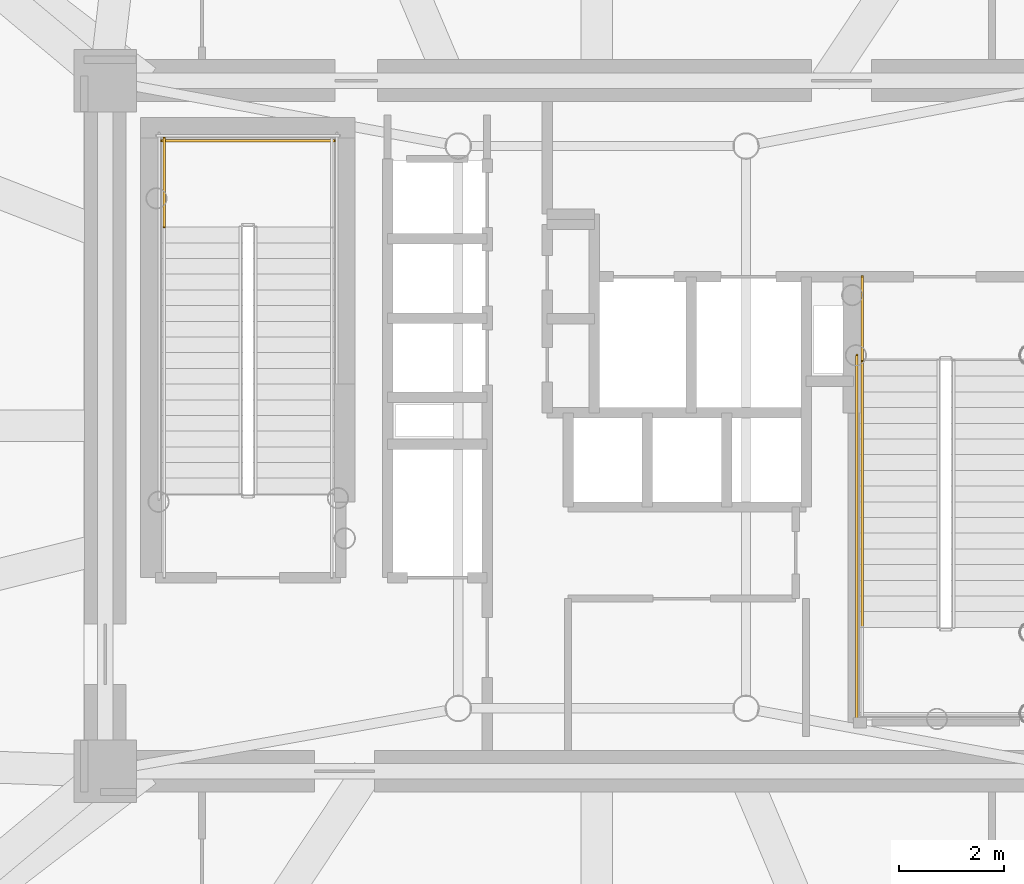
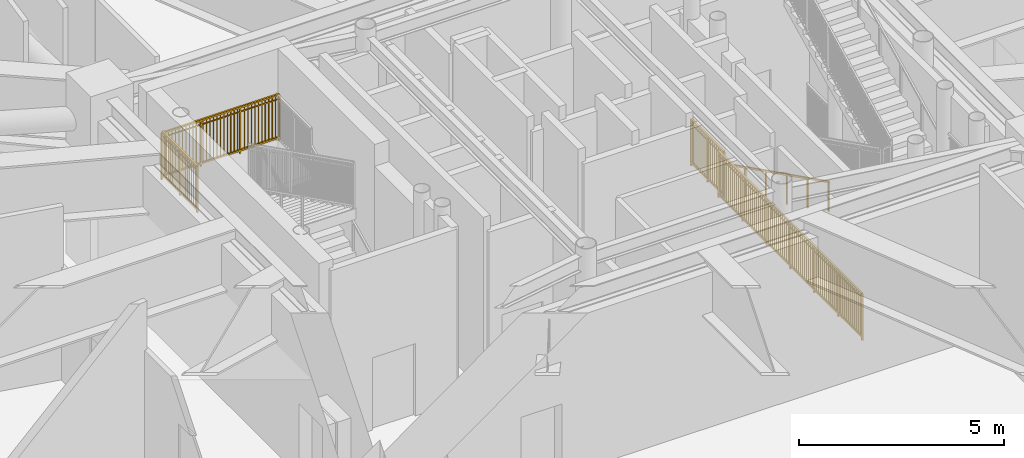
# One storey, part 17 of 20: 5 railings.
"""IFC4 building model written with IfcOpenShell, lengths in metres."""

from ifc_helpers import new_model, si_unit, direction, frame, origin, origin_2d, place, context, subcontext, project, spatial, rectangle, extrude, source, transform, mapped, material, type_object, element, save


model = new_model("IFC4")

# Units and contexts
model_context = context("Model", 3, precision=1e-05, world=origin(), true_north=direction((0.0, 1.0)))
body_context = subcontext(model_context, "Body", "Model", "MODEL_VIEW")
ifc_project = project(units=[si_unit("LENGTHUNIT", "METRE"), si_unit("AREAUNIT", "SQUARE_METRE"), si_unit("VOLUMEUNIT", "CUBIC_METRE"), si_unit("PLANEANGLEUNIT", "RADIAN"), si_unit("MASSUNIT", "GRAM", prefix="KILO")], contexts=[model_context])

# Site, building, storey
site_placement = place(None, origin())
site = spatial("IfcSite", under=ifc_project, at=site_placement, CompositionType="ELEMENT")
building_placement = place(site_placement, origin())
building = spatial("IfcBuilding", under=site, at=building_placement, Name="Linh Dai School and Residence Tower", CompositionType="ELEMENT")
storey_placement = place(building_placement, frame((0.0, 0.0, 204.89990234375)))
storey = spatial("IfcBuildingStorey", under=building, at=storey_placement, Name="L50", CompositionType="ELEMENT", Elevation=204.89990234375)

# Railings
ifc_material_1 = material(Name="Structural Steel S355JR", Category="steel")
railing_type_1 = type_object("IfcRailingType", Name="RL-ST-GUARD-1400", PredefinedType="GUARDRAIL", material=ifc_material_1)
shared_shape_1 = source(origin(), body_context, "Body", "SweptSolid", [
    extrude(rectangle(XDim=0.048095703125, YDim=0.048095703125, at=origin_2d()), frame((0.0, 0.0, 1.3759765625), z_axis=(-1.0, 0.0, 0.0), x_axis=(0.0, -1.0, 0.0)), (0.0, 0.0, 1.0), 3.300048828125),
    extrude(rectangle(XDim=0.048095703125, YDim=0.048095703125, at=origin_2d()), frame((0.0, 0.0, 0.10009765625), z_axis=(-1.0, 0.0, 0.0), x_axis=(0.0, -1.0, 0.0)), (0.0, 0.0, 1.0), 3.300048828125),
    extrude(rectangle(XDim=0.030029296875, YDim=0.030029296875, at=origin_2d()), frame((0.0, 0.0, 1.239990234375), z_axis=(-1.0, 0.0, 0.0), x_axis=(0.0, -1.0, 0.0)), (0.0, 0.0, 1.0), 3.300048828125),
    extrude(rectangle(XDim=0.02001953125, YDim=0.02001953125, at=origin_2d()), frame((-0.09716796875, 0.0, 0.10009765625)), (0.0, 0.0, 1.0), 1.251708984375),
    extrude(rectangle(XDim=0.02001953125, YDim=0.02001953125, at=origin_2d()), frame((-0.194091796875, 0.0, 0.10009765625)), (0.0, 0.0, 1.0), 1.251708984375),
    extrude(rectangle(XDim=0.02001953125, YDim=0.02001953125, at=origin_2d()), frame((-0.291259765625, 0.0, 0.10009765625)), (0.0, 0.0, 1.0), 1.251708984375),
    extrude(rectangle(XDim=0.02001953125, YDim=0.02001953125, at=origin_2d()), frame((-0.38818359375, 0.0, 0.10009765625)), (0.0, 0.0, 1.0), 1.251708984375),
    extrude(rectangle(XDim=0.02001953125, YDim=0.02001953125, at=origin_2d()), frame((-0.4853515625, 0.0, 0.10009765625)), (0.0, 0.0, 1.0), 1.251708984375),
    extrude(rectangle(XDim=0.02001953125, YDim=0.02001953125, at=origin_2d()), frame((-0.582275390625, 0.0, 0.10009765625)), (0.0, 0.0, 1.0), 1.251708984375),
    extrude(rectangle(XDim=0.02001953125, YDim=0.02001953125, at=origin_2d()), frame((-0.679443359375, 0.0, 0.10009765625)), (0.0, 0.0, 1.0), 1.251708984375),
    extrude(rectangle(XDim=0.02001953125, YDim=0.02001953125, at=origin_2d()), frame((-0.7763671875, 0.0, 0.10009765625)), (0.0, 0.0, 1.0), 1.251708984375),
    extrude(rectangle(XDim=0.02001953125, YDim=0.02001953125, at=origin_2d()), frame((-0.87353515625, 0.0, 0.10009765625)), (0.0, 0.0, 1.0), 1.251708984375),
    extrude(rectangle(XDim=0.02001953125, YDim=0.02001953125, at=origin_2d()), frame((-0.970703125, 0.0, 0.10009765625)), (0.0, 0.0, 1.0), 1.251708984375),
    extrude(rectangle(XDim=0.02001953125, YDim=0.02001953125, at=origin_2d()), frame((-1.164794921875, 0.0, 0.10009765625)), (0.0, 0.0, 1.0), 1.251708984375),
    extrude(rectangle(XDim=0.02001953125, YDim=0.02001953125, at=origin_2d()), frame((-1.26171875, 0.0, 0.10009765625)), (0.0, 0.0, 1.0), 1.251708984375),
    extrude(rectangle(XDim=0.02001953125, YDim=0.02001953125, at=origin_2d()), frame((-1.35888671875, 0.0, 0.10009765625)), (0.0, 0.0, 1.0), 1.251708984375),
    extrude(rectangle(XDim=0.02001953125, YDim=0.02001953125, at=origin_2d()), frame((-1.455810546875, 0.0, 0.10009765625)), (0.0, 0.0, 1.0), 1.251708984375),
    extrude(rectangle(XDim=0.02001953125, YDim=0.02001953125, at=origin_2d()), frame((-1.552978515625, 0.0, 0.10009765625)), (0.0, 0.0, 1.0), 1.251708984375),
    extrude(rectangle(XDim=0.02001953125, YDim=0.02001953125, at=origin_2d()), frame((-1.64990234375, 0.0, 0.10009765625)), (0.0, 0.0, 1.0), 1.251708984375),
    extrude(rectangle(XDim=0.02001953125, YDim=0.02001953125, at=origin_2d()), frame((-1.7470703125, 0.0, 0.10009765625)), (0.0, 0.0, 1.0), 1.251708984375),
    extrude(rectangle(XDim=0.02001953125, YDim=0.02001953125, at=origin_2d()), frame((-1.84423828125, 0.0, 0.10009765625)), (0.0, 0.0, 1.0), 1.251708984375),
    extrude(rectangle(XDim=0.02001953125, YDim=0.02001953125, at=origin_2d()), frame((-1.941162109375, 0.0, 0.10009765625)), (0.0, 0.0, 1.0), 1.251708984375),
    extrude(rectangle(XDim=0.02001953125, YDim=0.02001953125, at=origin_2d()), frame((-2.038330078125, 0.0, 0.10009765625)), (0.0, 0.0, 1.0), 1.251708984375),
    extrude(rectangle(XDim=0.02001953125, YDim=0.02001953125, at=origin_2d()), frame((-2.13525390625, 0.0, 0.10009765625)), (0.0, 0.0, 1.0), 1.251708984375),
    extrude(rectangle(XDim=0.02001953125, YDim=0.02001953125, at=origin_2d()), frame((-2.329345703125, 0.0, 0.10009765625)), (0.0, 0.0, 1.0), 1.251708984375),
    extrude(rectangle(XDim=0.02001953125, YDim=0.02001953125, at=origin_2d()), frame((-2.426513671875, 0.0, 0.10009765625)), (0.0, 0.0, 1.0), 1.251708984375),
    extrude(rectangle(XDim=0.02001953125, YDim=0.02001953125, at=origin_2d()), frame((-2.523681640625, 0.0, 0.10009765625)), (0.0, 0.0, 1.0), 1.251708984375),
    extrude(rectangle(XDim=0.02001953125, YDim=0.02001953125, at=origin_2d()), frame((-2.62060546875, 0.0, 0.10009765625)), (0.0, 0.0, 1.0), 1.251708984375),
    extrude(rectangle(XDim=0.02001953125, YDim=0.02001953125, at=origin_2d()), frame((-2.7177734375, 0.0, 0.10009765625)), (0.0, 0.0, 1.0), 1.251708984375),
    extrude(rectangle(XDim=0.02001953125, YDim=0.02001953125, at=origin_2d()), frame((-2.814697265625, 0.0, 0.10009765625)), (0.0, 0.0, 1.0), 1.251708984375),
    extrude(rectangle(XDim=0.02001953125, YDim=0.02001953125, at=origin_2d()), frame((-2.911865234375, 0.0, 0.10009765625)), (0.0, 0.0, 1.0), 1.251708984375),
    extrude(rectangle(XDim=0.02001953125, YDim=0.02001953125, at=origin_2d()), frame((-3.0087890625, 0.0, 0.10009765625)), (0.0, 0.0, 1.0), 1.251708984375),
    extrude(rectangle(XDim=0.02001953125, YDim=0.02001953125, at=origin_2d()), frame((-3.10595703125, 0.0, 0.10009765625)), (0.0, 0.0, 1.0), 1.251708984375),
    extrude(rectangle(XDim=0.02001953125, YDim=0.02001953125, at=origin_2d()), frame((-3.202880859375, 0.0, 0.10009765625)), (0.0, 0.0, 1.0), 1.251708984375),
    extrude(rectangle(XDim=0.0419921875, YDim=0.0419921875, at=origin_2d()), origin(), (0.0, 0.0, 1.0), 1.3759765625),
    extrude(rectangle(XDim=0.0419921875, YDim=0.0419921875, at=origin_2d()), frame((-1.10009765625, 0.0, 0.0)), (0.0, 0.0, 1.0), 1.3759765625),
    extrude(rectangle(XDim=0.0419921875, YDim=0.0419921875, at=origin_2d()), frame((-2.199951171875, 0.0, 0.0)), (0.0, 0.0, 1.0), 1.3759765625),
    extrude(rectangle(XDim=0.0419921875, YDim=0.0419921875, at=origin_2d()), frame((-3.300048828125, 0.0, 0.0)), (0.0, 0.0, 1.0), 1.3759765625),
])
railing_1_placement = place(storey_placement, frame((30.97998046875, 32.449951171875, 2.7001953125)))
element("IfcRailing", 1, at=railing_1_placement, inside=storey, type_object=railing_type_1, Name="L50 ST1 stair guard 5", PredefinedType="GUARDRAIL", context=body_context, shape_type="MappedRepresentation", body=[
    mapped(shared_shape_1, transform((0.0, 0.0, 0.0), x_axis=(1.0, 0.0, 0.0), y_axis=(0.0, 1.0, 0.0), z_axis=(0.0, 0.0, 1.0), scale=1.0)),
])
shared_shape_2 = source(origin(), body_context, "Body", "SweptSolid", [
    extrude(rectangle(XDim=0.048095703125, YDim=0.048095703125, at=origin_2d()), frame((0.0, 0.0, 1.3759765625), z_axis=(0.0, 1.0, 0.0), x_axis=(-1.0, 0.0, 0.0)), (0.0, 0.0, 1.0), 1.699951171875),
    extrude(rectangle(XDim=0.048095703125, YDim=0.048095703125, at=origin_2d()), frame((0.0, 0.0, 0.10009765625), z_axis=(0.0, 1.0, 0.0), x_axis=(-1.0, 0.0, 0.0)), (0.0, 0.0, 1.0), 1.699951171875),
    extrude(rectangle(XDim=0.030029296875, YDim=0.030029296875, at=origin_2d()), frame((0.0, 0.0, 1.239990234375), z_axis=(0.0, 1.0, 0.0), x_axis=(-1.0, 0.0, 0.0)), (0.0, 0.0, 1.0), 1.699951171875),
    extrude(rectangle(XDim=0.02001953125, YDim=0.02001953125, at=origin_2d()), frame((0.0, 0.094482421875, 0.10009765625)), (0.0, 0.0, 1.0), 1.251708984375),
    extrude(rectangle(XDim=0.02001953125, YDim=0.02001953125, at=origin_2d()), frame((0.0, 0.18896484375, 0.10009765625)), (0.0, 0.0, 1.0), 1.251708984375),
    extrude(rectangle(XDim=0.02001953125, YDim=0.02001953125, at=origin_2d()), frame((0.0, 0.283203125, 0.10009765625)), (0.0, 0.0, 1.0), 1.251708984375),
    extrude(rectangle(XDim=0.02001953125, YDim=0.02001953125, at=origin_2d()), frame((0.0, 0.377685546875, 0.10009765625)), (0.0, 0.0, 1.0), 1.251708984375),
    extrude(rectangle(XDim=0.02001953125, YDim=0.02001953125, at=origin_2d()), frame((0.0, 0.47216796875, 0.10009765625)), (0.0, 0.0, 1.0), 1.251708984375),
    extrude(rectangle(XDim=0.02001953125, YDim=0.02001953125, at=origin_2d()), frame((0.0, 0.566650390625, 0.10009765625)), (0.0, 0.0, 1.0), 1.251708984375),
    extrude(rectangle(XDim=0.02001953125, YDim=0.02001953125, at=origin_2d()), frame((0.0, 0.6611328125, 0.10009765625)), (0.0, 0.0, 1.0), 1.251708984375),
    extrude(rectangle(XDim=0.02001953125, YDim=0.02001953125, at=origin_2d()), frame((0.0, 0.755615234375, 0.10009765625)), (0.0, 0.0, 1.0), 1.251708984375),
    extrude(rectangle(XDim=0.02001953125, YDim=0.02001953125, at=origin_2d()), frame((0.0, 0.9443359375, 0.10009765625)), (0.0, 0.0, 1.0), 1.251708984375),
    extrude(rectangle(XDim=0.02001953125, YDim=0.02001953125, at=origin_2d()), frame((0.0, 1.038818359375, 0.10009765625)), (0.0, 0.0, 1.0), 1.251708984375),
    extrude(rectangle(XDim=0.02001953125, YDim=0.02001953125, at=origin_2d()), frame((0.0, 1.13330078125, 0.10009765625)), (0.0, 0.0, 1.0), 1.251708984375),
    extrude(rectangle(XDim=0.02001953125, YDim=0.02001953125, at=origin_2d()), frame((0.0, 1.227783203125, 0.10009765625)), (0.0, 0.0, 1.0), 1.251708984375),
    extrude(rectangle(XDim=0.02001953125, YDim=0.02001953125, at=origin_2d()), frame((0.0, 1.322265625, 0.10009765625)), (0.0, 0.0, 1.0), 1.251708984375),
    extrude(rectangle(XDim=0.02001953125, YDim=0.02001953125, at=origin_2d()), frame((0.0, 1.41650390625, 0.10009765625)), (0.0, 0.0, 1.0), 1.251708984375),
    extrude(rectangle(XDim=0.02001953125, YDim=0.02001953125, at=origin_2d()), frame((0.0, 1.510986328125, 0.10009765625)), (0.0, 0.0, 1.0), 1.251708984375),
    extrude(rectangle(XDim=0.02001953125, YDim=0.02001953125, at=origin_2d()), frame((0.0, 1.60546875, 0.10009765625)), (0.0, 0.0, 1.0), 1.251708984375),
    extrude(rectangle(XDim=0.0419921875, YDim=0.0419921875, at=origin_2d()), origin(), (0.0, 0.0, 1.0), 1.3759765625),
    extrude(rectangle(XDim=0.0419921875, YDim=0.0419921875, at=origin_2d()), frame((0.0, 0.85009765625, 0.0)), (0.0, 0.0, 1.0), 1.3759765625),
    extrude(rectangle(XDim=0.0419921875, YDim=0.0419921875, at=origin_2d()), frame((0.0, 1.699951171875, 0.0)), (0.0, 0.0, 1.0), 1.3759765625),
])
railing_2_placement = place(storey_placement, frame((27.72998046875, 30.800048828125, 2.7001953125)))
element("IfcRailing", 2, at=railing_2_placement, inside=storey, type_object=railing_type_1, Name="L50 ST1 stair guard 4", PredefinedType="GUARDRAIL", context=body_context, shape_type="MappedRepresentation", body=[
    mapped(shared_shape_2, transform((0.0, 0.0, 0.0), x_axis=(1.0, 0.0, 0.0), y_axis=(0.0, 1.0, 0.0), z_axis=(0.0, 0.0, 1.0), scale=1.0)),
])
ifc_material_2 = material(Name="Brushed Stainless Steel Handrail", Category="steel")
railing_type_2 = type_object("IfcRailingType", Name="RL-ST-HANDRAIL-900", PredefinedType="HANDRAIL", material=ifc_material_2)
shared_shape_3 = source(origin(), body_context, "Body", "SweptSolid", [
    extrude(rectangle(XDim=0.048095703125, YDim=0.048095703125, at=origin_2d()), frame((0.0, 0.0, 0.8759765625), z_axis=(0.0, -0.894427191, 0.4472135955), x_axis=(1.0, 0.0, 0.0)), (0.0, 0.0, 1.0), 5.7021484375),
    extrude(rectangle(XDim=0.0419921875, YDim=0.0419921875, at=origin_2d()), origin(), (0.0, 0.0, 1.0), 0.8759765625),
    extrude(rectangle(XDim=0.0419921875, YDim=0.0419921875, at=origin_2d()), frame((0.0, -1.02001953125, 0.510009765625)), (0.0, 0.0, 1.0), 0.8759765625),
    extrude(rectangle(XDim=0.0419921875, YDim=0.0419921875, at=origin_2d()), frame((0.0, -2.0400390625, 1.02001953125)), (0.0, 0.0, 1.0), 0.8759765625),
    extrude(rectangle(XDim=0.0419921875, YDim=0.0419921875, at=origin_2d()), frame((0.0, -3.06005859375, 1.530029296875)), (0.0, 0.0, 1.0), 0.8759765625),
    extrude(rectangle(XDim=0.0419921875, YDim=0.0419921875, at=origin_2d()), frame((0.0, -4.080078125, 2.0400390625)), (0.0, 0.0, 1.0), 0.8759765625),
    extrude(rectangle(XDim=0.0419921875, YDim=0.0419921875, at=origin_2d()), frame((0.0, -5.10009765625, 2.550048828125)), (0.0, 0.0, 1.0), 0.8759765625),
])
railing_3_placement = place(storey_placement, frame((41.070068359375, 28.25, 0.150146484375)))
element("IfcRailing", 3, at=railing_3_placement, inside=storey, type_object=railing_type_2, Name="L50 ST2 stair handrail 1", PredefinedType="HANDRAIL", context=body_context, shape_type="MappedRepresentation", body=[
    mapped(shared_shape_3, transform((0.0, 0.0, 0.0), x_axis=(1.0, 0.0, 0.0), y_axis=(0.0, 1.0, 0.0), z_axis=(0.0, 0.0, 1.0), scale=1.0)),
])
shared_shape_4 = source(origin(), body_context, "Body", "SweptSolid", [
    extrude(rectangle(XDim=0.048095703125, YDim=0.048095703125, at=origin_2d()), frame((0.0, 0.0, 1.3759765625), z_axis=(0.0, -1.0, 0.0), x_axis=(1.0, 0.0, 0.0)), (0.0, 0.0, 1.0), 1.60009765625),
    extrude(rectangle(XDim=0.048095703125, YDim=0.048095703125, at=origin_2d()), frame((0.0, 0.0, 0.10009765625), z_axis=(0.0, -1.0, 0.0), x_axis=(1.0, 0.0, 0.0)), (0.0, 0.0, 1.0), 1.60009765625),
    extrude(rectangle(XDim=0.030029296875, YDim=0.030029296875, at=origin_2d()), frame((0.0, 0.0, 1.239990234375), z_axis=(0.0, -1.0, 0.0), x_axis=(1.0, 0.0, 0.0)), (0.0, 0.0, 1.0), 1.60009765625),
    extrude(rectangle(XDim=0.02001953125, YDim=0.02001953125, at=origin_2d()), frame((0.0, -0.09423828125, 0.10009765625)), (0.0, 0.0, 1.0), 1.251708984375),
    extrude(rectangle(XDim=0.02001953125, YDim=0.02001953125, at=origin_2d()), frame((0.0, -0.188232421875, 0.10009765625)), (0.0, 0.0, 1.0), 1.251708984375),
    extrude(rectangle(XDim=0.02001953125, YDim=0.02001953125, at=origin_2d()), frame((0.0, -0.282470703125, 0.10009765625)), (0.0, 0.0, 1.0), 1.251708984375),
    extrude(rectangle(XDim=0.02001953125, YDim=0.02001953125, at=origin_2d()), frame((0.0, -0.37646484375, 0.10009765625)), (0.0, 0.0, 1.0), 1.251708984375),
    extrude(rectangle(XDim=0.02001953125, YDim=0.02001953125, at=origin_2d()), frame((0.0, -0.470703125, 0.10009765625)), (0.0, 0.0, 1.0), 1.251708984375),
    extrude(rectangle(XDim=0.02001953125, YDim=0.02001953125, at=origin_2d()), frame((0.0, -0.564697265625, 0.10009765625)), (0.0, 0.0, 1.0), 1.251708984375),
    extrude(rectangle(XDim=0.02001953125, YDim=0.02001953125, at=origin_2d()), frame((0.0, -0.658935546875, 0.10009765625)), (0.0, 0.0, 1.0), 1.251708984375),
    extrude(rectangle(XDim=0.02001953125, YDim=0.02001953125, at=origin_2d()), frame((0.0, -0.7529296875, 0.10009765625)), (0.0, 0.0, 1.0), 1.251708984375),
    extrude(rectangle(XDim=0.02001953125, YDim=0.02001953125, at=origin_2d()), frame((0.0, -0.84716796875, 0.10009765625)), (0.0, 0.0, 1.0), 1.251708984375),
    extrude(rectangle(XDim=0.02001953125, YDim=0.02001953125, at=origin_2d()), frame((0.0, -0.941162109375, 0.10009765625)), (0.0, 0.0, 1.0), 1.251708984375),
    extrude(rectangle(XDim=0.02001953125, YDim=0.02001953125, at=origin_2d()), frame((0.0, -1.035400390625, 0.10009765625)), (0.0, 0.0, 1.0), 1.251708984375),
    extrude(rectangle(XDim=0.02001953125, YDim=0.02001953125, at=origin_2d()), frame((0.0, -1.12939453125, 0.10009765625)), (0.0, 0.0, 1.0), 1.251708984375),
    extrude(rectangle(XDim=0.02001953125, YDim=0.02001953125, at=origin_2d()), frame((0.0, -1.2236328125, 0.10009765625)), (0.0, 0.0, 1.0), 1.251708984375),
    extrude(rectangle(XDim=0.02001953125, YDim=0.02001953125, at=origin_2d()), frame((0.0, -1.317626953125, 0.10009765625)), (0.0, 0.0, 1.0), 1.251708984375),
    extrude(rectangle(XDim=0.02001953125, YDim=0.02001953125, at=origin_2d()), frame((0.0, -1.411865234375, 0.10009765625)), (0.0, 0.0, 1.0), 1.251708984375),
    extrude(rectangle(XDim=0.02001953125, YDim=0.02001953125, at=origin_2d()), frame((0.0, -1.505859375, 0.10009765625)), (0.0, 0.0, 1.0), 1.251708984375),
    extrude(rectangle(XDim=0.0419921875, YDim=0.0419921875, at=origin_2d()), origin(), (0.0, 0.0, 1.0), 1.3759765625),
    extrude(rectangle(XDim=0.0419921875, YDim=0.0419921875, at=origin_2d()), frame((0.0, -0.800048828125, 0.0)), (0.0, 0.0, 1.0), 1.3759765625),
    extrude(rectangle(XDim=0.0419921875, YDim=0.0419921875, at=origin_2d()), frame((0.0, -1.60009765625, 0.0)), (0.0, 0.0, 1.0), 1.3759765625),
])
railing_4_placement = place(storey_placement, frame((41.070068359375, 29.85009765625, 0.0)))
element("IfcRailing", 4, at=railing_4_placement, inside=storey, type_object=railing_type_1, Name="L50 ST2 stair guard 8", PredefinedType="GUARDRAIL", context=body_context, shape_type="MappedRepresentation", body=[
    mapped(shared_shape_4, transform((0.0, 0.0, 0.0), x_axis=(1.0, 0.0, 0.0), y_axis=(0.0, 1.0, 0.0), z_axis=(0.0, 0.0, 1.0), scale=1.0)),
])
shared_shape_5 = source(origin(), body_context, "Body", "SweptSolid", [
    extrude(rectangle(XDim=0.048095703125, YDim=0.048095703125, at=origin_2d()), frame((0.0, 0.0, 1.3759765625), z_axis=(0.0, -1.0, 0.0), x_axis=(1.0, 0.0, 0.0)), (0.0, 0.0, 1.0), 7.0),
    extrude(rectangle(XDim=0.048095703125, YDim=0.048095703125, at=origin_2d()), frame((0.0, 0.0, 0.10009765625), z_axis=(0.0, -1.0, 0.0), x_axis=(1.0, 0.0, 0.0)), (0.0, 0.0, 1.0), 7.0),
    extrude(rectangle(XDim=0.030029296875, YDim=0.030029296875, at=origin_2d()), frame((0.0, 0.0, 1.239990234375), z_axis=(0.0, -1.0, 0.0), x_axis=(1.0, 0.0, 0.0)), (0.0, 0.0, 1.0), 7.0),
    extrude(rectangle(XDim=0.02001953125, YDim=0.02001953125, at=origin_2d()), frame((0.0, -0.09716796875, 0.10009765625)), (0.0, 0.0, 1.0), 1.251708984375),
    extrude(rectangle(XDim=0.02001953125, YDim=0.02001953125, at=origin_2d()), frame((0.0, -0.1943359375, 0.10009765625)), (0.0, 0.0, 1.0), 1.251708984375),
    extrude(rectangle(XDim=0.02001953125, YDim=0.02001953125, at=origin_2d()), frame((0.0, -0.291748046875, 0.10009765625)), (0.0, 0.0, 1.0), 1.251708984375),
    extrude(rectangle(XDim=0.02001953125, YDim=0.02001953125, at=origin_2d()), frame((0.0, -0.388916015625, 0.10009765625)), (0.0, 0.0, 1.0), 1.251708984375),
    extrude(rectangle(XDim=0.02001953125, YDim=0.02001953125, at=origin_2d()), frame((0.0, -0.486083984375, 0.10009765625)), (0.0, 0.0, 1.0), 1.251708984375),
    extrude(rectangle(XDim=0.02001953125, YDim=0.02001953125, at=origin_2d()), frame((0.0, -0.583251953125, 0.10009765625)), (0.0, 0.0, 1.0), 1.251708984375),
    extrude(rectangle(XDim=0.02001953125, YDim=0.02001953125, at=origin_2d()), frame((0.0, -0.6806640625, 0.10009765625)), (0.0, 0.0, 1.0), 1.251708984375),
    extrude(rectangle(XDim=0.02001953125, YDim=0.02001953125, at=origin_2d()), frame((0.0, -0.77783203125, 0.10009765625)), (0.0, 0.0, 1.0), 1.251708984375),
    extrude(rectangle(XDim=0.02001953125, YDim=0.02001953125, at=origin_2d()), frame((0.0, -0.875, 0.10009765625)), (0.0, 0.0, 1.0), 1.251708984375),
    extrude(rectangle(XDim=0.02001953125, YDim=0.02001953125, at=origin_2d()), frame((0.0, -0.97216796875, 0.10009765625)), (0.0, 0.0, 1.0), 1.251708984375),
    extrude(rectangle(XDim=0.02001953125, YDim=0.02001953125, at=origin_2d()), frame((0.0, -1.0693359375, 0.10009765625)), (0.0, 0.0, 1.0), 1.251708984375),
    extrude(rectangle(XDim=0.02001953125, YDim=0.02001953125, at=origin_2d()), frame((0.0, -1.263916015625, 0.10009765625)), (0.0, 0.0, 1.0), 1.251708984375),
    extrude(rectangle(XDim=0.02001953125, YDim=0.02001953125, at=origin_2d()), frame((0.0, -1.361083984375, 0.10009765625)), (0.0, 0.0, 1.0), 1.251708984375),
    extrude(rectangle(XDim=0.02001953125, YDim=0.02001953125, at=origin_2d()), frame((0.0, -1.458251953125, 0.10009765625)), (0.0, 0.0, 1.0), 1.251708984375),
    extrude(rectangle(XDim=0.02001953125, YDim=0.02001953125, at=origin_2d()), frame((0.0, -1.5556640625, 0.10009765625)), (0.0, 0.0, 1.0), 1.251708984375),
    extrude(rectangle(XDim=0.02001953125, YDim=0.02001953125, at=origin_2d()), frame((0.0, -1.65283203125, 0.10009765625)), (0.0, 0.0, 1.0), 1.251708984375),
    extrude(rectangle(XDim=0.02001953125, YDim=0.02001953125, at=origin_2d()), frame((0.0, -1.75, 0.10009765625)), (0.0, 0.0, 1.0), 1.251708984375),
    extrude(rectangle(XDim=0.02001953125, YDim=0.02001953125, at=origin_2d()), frame((0.0, -1.84716796875, 0.10009765625)), (0.0, 0.0, 1.0), 1.251708984375),
    extrude(rectangle(XDim=0.02001953125, YDim=0.02001953125, at=origin_2d()), frame((0.0, -1.9443359375, 0.10009765625)), (0.0, 0.0, 1.0), 1.251708984375),
    extrude(rectangle(XDim=0.02001953125, YDim=0.02001953125, at=origin_2d()), frame((0.0, -2.041748046875, 0.10009765625)), (0.0, 0.0, 1.0), 1.251708984375),
    extrude(rectangle(XDim=0.02001953125, YDim=0.02001953125, at=origin_2d()), frame((0.0, -2.138916015625, 0.10009765625)), (0.0, 0.0, 1.0), 1.251708984375),
    extrude(rectangle(XDim=0.02001953125, YDim=0.02001953125, at=origin_2d()), frame((0.0, -2.236083984375, 0.10009765625)), (0.0, 0.0, 1.0), 1.251708984375),
    extrude(rectangle(XDim=0.02001953125, YDim=0.02001953125, at=origin_2d()), frame((0.0, -2.4306640625, 0.10009765625)), (0.0, 0.0, 1.0), 1.251708984375),
    extrude(rectangle(XDim=0.02001953125, YDim=0.02001953125, at=origin_2d()), frame((0.0, -2.52783203125, 0.10009765625)), (0.0, 0.0, 1.0), 1.251708984375),
    extrude(rectangle(XDim=0.02001953125, YDim=0.02001953125, at=origin_2d()), frame((0.0, -2.625, 0.10009765625)), (0.0, 0.0, 1.0), 1.251708984375),
    extrude(rectangle(XDim=0.02001953125, YDim=0.02001953125, at=origin_2d()), frame((0.0, -2.72216796875, 0.10009765625)), (0.0, 0.0, 1.0), 1.251708984375),
    extrude(rectangle(XDim=0.02001953125, YDim=0.02001953125, at=origin_2d()), frame((0.0, -2.8193359375, 0.10009765625)), (0.0, 0.0, 1.0), 1.251708984375),
    extrude(rectangle(XDim=0.02001953125, YDim=0.02001953125, at=origin_2d()), frame((0.0, -2.916748046875, 0.10009765625)), (0.0, 0.0, 1.0), 1.251708984375),
    extrude(rectangle(XDim=0.02001953125, YDim=0.02001953125, at=origin_2d()), frame((0.0, -3.013916015625, 0.10009765625)), (0.0, 0.0, 1.0), 1.251708984375),
    extrude(rectangle(XDim=0.02001953125, YDim=0.02001953125, at=origin_2d()), frame((0.0, -3.111083984375, 0.10009765625)), (0.0, 0.0, 1.0), 1.251708984375),
    extrude(rectangle(XDim=0.02001953125, YDim=0.02001953125, at=origin_2d()), frame((0.0, -3.208251953125, 0.10009765625)), (0.0, 0.0, 1.0), 1.251708984375),
    extrude(rectangle(XDim=0.02001953125, YDim=0.02001953125, at=origin_2d()), frame((0.0, -3.3056640625, 0.10009765625)), (0.0, 0.0, 1.0), 1.251708984375),
    extrude(rectangle(XDim=0.02001953125, YDim=0.02001953125, at=origin_2d()), frame((0.0, -3.40283203125, 0.10009765625)), (0.0, 0.0, 1.0), 1.251708984375),
    extrude(rectangle(XDim=0.02001953125, YDim=0.02001953125, at=origin_2d()), frame((0.0, -3.59716796875, 0.10009765625)), (0.0, 0.0, 1.0), 1.251708984375),
    extrude(rectangle(XDim=0.02001953125, YDim=0.02001953125, at=origin_2d()), frame((0.0, -3.6943359375, 0.10009765625)), (0.0, 0.0, 1.0), 1.251708984375),
    extrude(rectangle(XDim=0.02001953125, YDim=0.02001953125, at=origin_2d()), frame((0.0, -3.791748046875, 0.10009765625)), (0.0, 0.0, 1.0), 1.251708984375),
    extrude(rectangle(XDim=0.02001953125, YDim=0.02001953125, at=origin_2d()), frame((0.0, -3.888916015625, 0.10009765625)), (0.0, 0.0, 1.0), 1.251708984375),
    extrude(rectangle(XDim=0.02001953125, YDim=0.02001953125, at=origin_2d()), frame((0.0, -3.986083984375, 0.10009765625)), (0.0, 0.0, 1.0), 1.251708984375),
    extrude(rectangle(XDim=0.02001953125, YDim=0.02001953125, at=origin_2d()), frame((0.0, -4.083251953125, 0.10009765625)), (0.0, 0.0, 1.0), 1.251708984375),
    extrude(rectangle(XDim=0.02001953125, YDim=0.02001953125, at=origin_2d()), frame((0.0, -4.1806640625, 0.10009765625)), (0.0, 0.0, 1.0), 1.251708984375),
    extrude(rectangle(XDim=0.02001953125, YDim=0.02001953125, at=origin_2d()), frame((0.0, -4.27783203125, 0.10009765625)), (0.0, 0.0, 1.0), 1.251708984375),
    extrude(rectangle(XDim=0.02001953125, YDim=0.02001953125, at=origin_2d()), frame((0.0, -4.375, 0.10009765625)), (0.0, 0.0, 1.0), 1.251708984375),
    extrude(rectangle(XDim=0.02001953125, YDim=0.02001953125, at=origin_2d()), frame((0.0, -4.47216796875, 0.10009765625)), (0.0, 0.0, 1.0), 1.251708984375),
    extrude(rectangle(XDim=0.02001953125, YDim=0.02001953125, at=origin_2d()), frame((0.0, -4.5693359375, 0.10009765625)), (0.0, 0.0, 1.0), 1.251708984375),
    extrude(rectangle(XDim=0.02001953125, YDim=0.02001953125, at=origin_2d()), frame((0.0, -4.763916015625, 0.10009765625)), (0.0, 0.0, 1.0), 1.251708984375),
    extrude(rectangle(XDim=0.02001953125, YDim=0.02001953125, at=origin_2d()), frame((0.0, -4.861083984375, 0.10009765625)), (0.0, 0.0, 1.0), 1.251708984375),
    extrude(rectangle(XDim=0.02001953125, YDim=0.02001953125, at=origin_2d()), frame((0.0, -4.958251953125, 0.10009765625)), (0.0, 0.0, 1.0), 1.251708984375),
    extrude(rectangle(XDim=0.02001953125, YDim=0.02001953125, at=origin_2d()), frame((0.0, -5.0556640625, 0.10009765625)), (0.0, 0.0, 1.0), 1.251708984375),
    extrude(rectangle(XDim=0.02001953125, YDim=0.02001953125, at=origin_2d()), frame((0.0, -5.15283203125, 0.10009765625)), (0.0, 0.0, 1.0), 1.251708984375),
    extrude(rectangle(XDim=0.02001953125, YDim=0.02001953125, at=origin_2d()), frame((0.0, -5.25, 0.10009765625)), (0.0, 0.0, 1.0), 1.251708984375),
    extrude(rectangle(XDim=0.02001953125, YDim=0.02001953125, at=origin_2d()), frame((0.0, -5.34716796875, 0.10009765625)), (0.0, 0.0, 1.0), 1.251708984375),
    extrude(rectangle(XDim=0.02001953125, YDim=0.02001953125, at=origin_2d()), frame((0.0, -5.4443359375, 0.10009765625)), (0.0, 0.0, 1.0), 1.251708984375),
    extrude(rectangle(XDim=0.02001953125, YDim=0.02001953125, at=origin_2d()), frame((0.0, -5.541748046875, 0.10009765625)), (0.0, 0.0, 1.0), 1.251708984375),
    extrude(rectangle(XDim=0.02001953125, YDim=0.02001953125, at=origin_2d()), frame((0.0, -5.638916015625, 0.10009765625)), (0.0, 0.0, 1.0), 1.251708984375),
    extrude(rectangle(XDim=0.02001953125, YDim=0.02001953125, at=origin_2d()), frame((0.0, -5.736083984375, 0.10009765625)), (0.0, 0.0, 1.0), 1.251708984375),
    extrude(rectangle(XDim=0.02001953125, YDim=0.02001953125, at=origin_2d()), frame((0.0, -5.9306640625, 0.10009765625)), (0.0, 0.0, 1.0), 1.251708984375),
    extrude(rectangle(XDim=0.02001953125, YDim=0.02001953125, at=origin_2d()), frame((0.0, -6.02783203125, 0.10009765625)), (0.0, 0.0, 1.0), 1.251708984375),
    extrude(rectangle(XDim=0.02001953125, YDim=0.02001953125, at=origin_2d()), frame((0.0, -6.125, 0.10009765625)), (0.0, 0.0, 1.0), 1.251708984375),
    extrude(rectangle(XDim=0.02001953125, YDim=0.02001953125, at=origin_2d()), frame((0.0, -6.22216796875, 0.10009765625)), (0.0, 0.0, 1.0), 1.251708984375),
    extrude(rectangle(XDim=0.02001953125, YDim=0.02001953125, at=origin_2d()), frame((0.0, -6.3193359375, 0.10009765625)), (0.0, 0.0, 1.0), 1.251708984375),
    extrude(rectangle(XDim=0.02001953125, YDim=0.02001953125, at=origin_2d()), frame((0.0, -6.416748046875, 0.10009765625)), (0.0, 0.0, 1.0), 1.251708984375),
    extrude(rectangle(XDim=0.02001953125, YDim=0.02001953125, at=origin_2d()), frame((0.0, -6.513916015625, 0.10009765625)), (0.0, 0.0, 1.0), 1.251708984375),
    extrude(rectangle(XDim=0.02001953125, YDim=0.02001953125, at=origin_2d()), frame((0.0, -6.611083984375, 0.10009765625)), (0.0, 0.0, 1.0), 1.251708984375),
    extrude(rectangle(XDim=0.02001953125, YDim=0.02001953125, at=origin_2d()), frame((0.0, -6.708251953125, 0.10009765625)), (0.0, 0.0, 1.0), 1.251708984375),
    extrude(rectangle(XDim=0.02001953125, YDim=0.02001953125, at=origin_2d()), frame((0.0, -6.8056640625, 0.10009765625)), (0.0, 0.0, 1.0), 1.251708984375),
    extrude(rectangle(XDim=0.02001953125, YDim=0.02001953125, at=origin_2d()), frame((0.0, -6.90283203125, 0.10009765625)), (0.0, 0.0, 1.0), 1.251708984375),
    extrude(rectangle(XDim=0.0419921875, YDim=0.0419921875, at=origin_2d()), origin(), (0.0, 0.0, 1.0), 1.3759765625),
    extrude(rectangle(XDim=0.0419921875, YDim=0.0419921875, at=origin_2d()), frame((0.0, -1.166748046875, 0.0)), (0.0, 0.0, 1.0), 1.3759765625),
    extrude(rectangle(XDim=0.0419921875, YDim=0.0419921875, at=origin_2d()), frame((0.0, -2.333251953125, 0.0)), (0.0, 0.0, 1.0), 1.3759765625),
    extrude(rectangle(XDim=0.0419921875, YDim=0.0419921875, at=origin_2d()), frame((0.0, -3.5, 0.0)), (0.0, 0.0, 1.0), 1.3759765625),
    extrude(rectangle(XDim=0.0419921875, YDim=0.0419921875, at=origin_2d()), frame((0.0, -4.666748046875, 0.0)), (0.0, 0.0, 1.0), 1.3759765625),
    extrude(rectangle(XDim=0.0419921875, YDim=0.0419921875, at=origin_2d()), frame((0.0, -5.833251953125, 0.0)), (0.0, 0.0, 1.0), 1.3759765625),
    extrude(rectangle(XDim=0.0419921875, YDim=0.0419921875, at=origin_2d()), frame((0.0, -7.0, 0.0)), (0.0, 0.0, 1.0), 1.3759765625),
])
railing_5_placement = place(storey_placement, frame((40.969970703125, 28.35009765625, 0.0)))
element("IfcRailing", 5, at=railing_5_placement, inside=storey, type_object=railing_type_1, Name="L50 ST2 stair guard 10", PredefinedType="GUARDRAIL", context=body_context, shape_type="MappedRepresentation", body=[
    mapped(shared_shape_5, transform((0.0, 0.0, 0.0), x_axis=(1.0, 0.0, 0.0), y_axis=(0.0, 1.0, 0.0), z_axis=(0.0, 0.0, 1.0), scale=1.0)),
])

save(model, "model.ifc")
